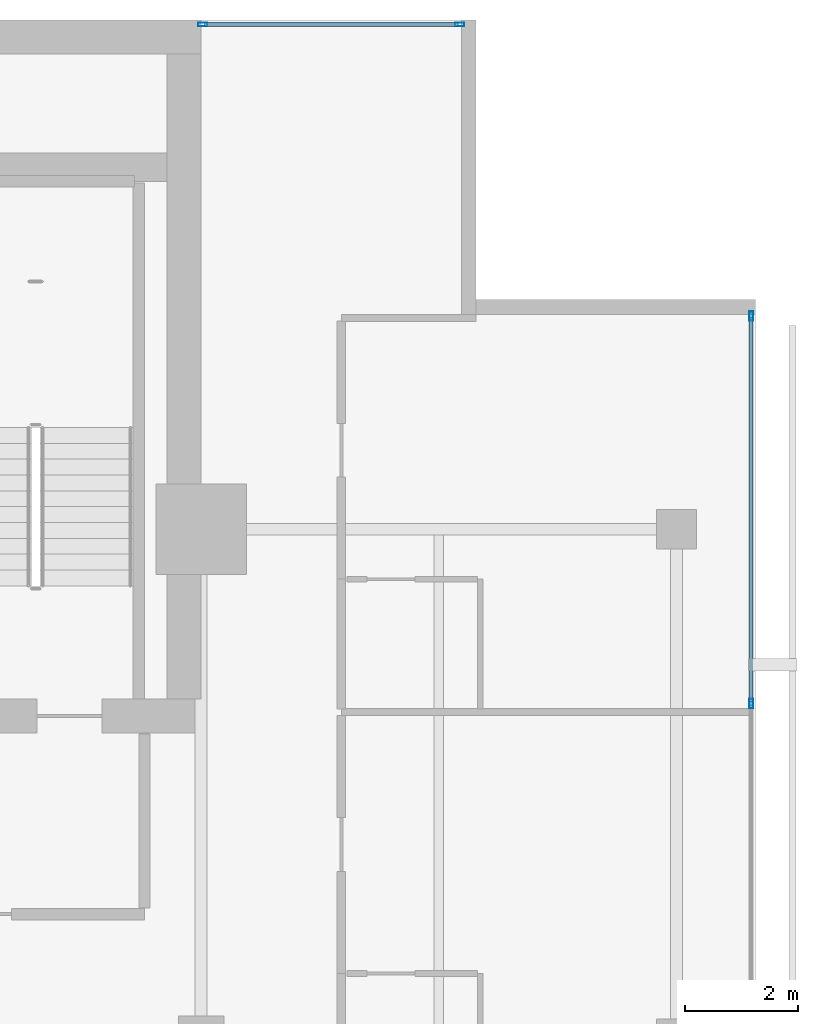
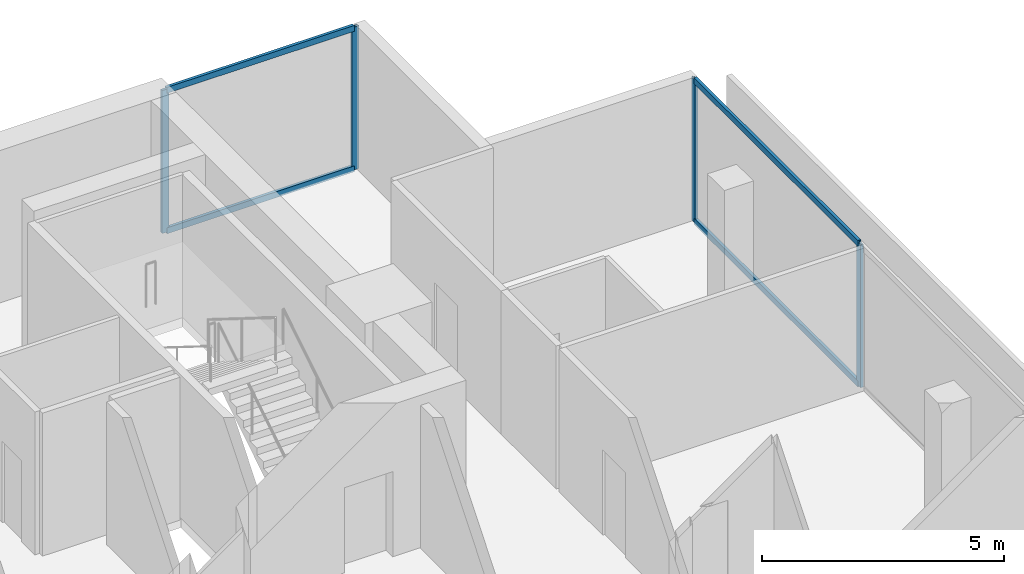
# One storey, part 18 of 26: 8 members, 2 elements without a shape of their own.
"""IFC4 building model written with IfcOpenShell, lengths in metres."""

import ifcopenshell
import ifcopenshell.guid

model = None  # the IFC model being written
_history = None  # IfcOwnerHistory: only IFC2X3 demands one
_inside = {}  # id of a spatial element -> (the spatial element, [elements in it])
_under = {}  # id of a project, library or spatial element -> (it, [spatial elements below it])
_declared = {}  # id of a project -> (the project, [libraries it declares])
_typed = {}  # id of a type object -> (the type object, [elements of that type])
_made_of = {}  # id of a material, layer set ... -> (it, [elements and type objects made of it])


def new_model(schema):
    """Start an empty IFC model of exactly this schema.

    Asked for "IFC4X3", IfcOpenShell would pick the latest addendum, in which some entities
    have other attributes; the version numbers below select the first issue.
    IFC2X3 requires an IfcOwnerHistory on every rooted entity: one is made here for all.
    """
    global model, _history
    if schema == "IFC4X3":
        model = ifcopenshell.file(schema_version=(4, 3, 0, 0))
    else:
        model = ifcopenshell.file(schema=schema)
    _inside.clear()
    _under.clear()
    _declared.clear()
    _typed.clear()
    _made_of.clear()
    _history = None
    if model.schema == "IFC2X3":
        org = make("IfcOrganization", Name="unknown")
        user = make(
            "IfcPersonAndOrganization",
            ThePerson=make("IfcPerson", FamilyName="unknown"),
            TheOrganization=org,
        )
        app = make(
            "IfcApplication",
            ApplicationDeveloper=org,
            Version="unknown",
            ApplicationFullName="unknown",
            ApplicationIdentifier="unknown",
        )
        _history = make(
            "IfcOwnerHistory",
            OwningUser=user,
            OwningApplication=app,
            ChangeAction="ADDED",
            CreationDate=0,
        )
    return model


def make(cls, **values):
    """One entity of the class cls with the attributes given. An attribute that is None is left unset."""
    return model.create_entity(
        cls, **{name: value for name, value in values.items() if value is not None}
    )


def rooted(cls, **values):
    """An entity with a GlobalId (a new one), such as an element, a storey or a relation."""
    return make(cls, GlobalId=ifcopenshell.guid.new(), OwnerHistory=_history, **values)


def si_unit(unit_type, name, prefix=None):
    """IfcSIUnit, for example si_unit("LENGTHUNIT", "METRE", prefix="MILLI")."""
    return make("IfcSIUnit", UnitType=unit_type, Prefix=prefix, Name=name)


def assignment(units):
    """IfcUnitAssignment: the units of a project."""
    return None if units is None else make("IfcUnitAssignment", Units=units)


def point(xyz):
    """IfcCartesianPoint."""
    return None if xyz is None else make("IfcCartesianPoint", Coordinates=xyz)


def direction(xyz):
    """IfcDirection."""
    return None if xyz is None else make("IfcDirection", DirectionRatios=xyz)


def frame(location, z_axis=None, x_axis=None):
    """IfcAxis2Placement3D, a coordinate frame: its origin and axes. An axis left out is left unset."""
    return make(
        "IfcAxis2Placement3D",
        Location=point(location),
        Axis=direction(z_axis),
        RefDirection=direction(x_axis),
    )


def frame_2d(location, x_axis=None):
    """IfcAxis2Placement2D, a coordinate frame in the plane: its origin and x axis."""
    return make(
        "IfcAxis2Placement2D", Location=point(location), RefDirection=direction(x_axis)
    )


def origin():
    """The frame at (0, 0, 0) with its axes left unset."""
    return frame((0.0, 0.0, 0.0))


def origin_2d():
    """The frame at (0, 0) in the plane with its x axis left unset."""
    return frame_2d((0.0, 0.0))


def place(relative_to, where):
    """IfcLocalPlacement: puts the frame where relative to a parent placement (None: the world)."""
    return make(
        "IfcLocalPlacement", PlacementRelTo=relative_to, RelativePlacement=where
    )


def context(
    kind, dimensions, precision=None, world=None, true_north=None, identifier=None
):
    """IfcGeometricRepresentationContext, for example the 3D "Model" context."""
    return make(
        "IfcGeometricRepresentationContext",
        ContextIdentifier=identifier,
        ContextType=kind,
        CoordinateSpaceDimension=dimensions,
        Precision=precision,
        WorldCoordinateSystem=world,
        TrueNorth=true_north,
    )


def subcontext(parent, identifier, kind, view, scale=None):
    """IfcGeometricRepresentationSubContext, for example "Body" below "Model"."""
    return make(
        "IfcGeometricRepresentationSubContext",
        ContextIdentifier=identifier,
        ContextType=kind,
        ParentContext=parent,
        TargetScale=scale,
        TargetView=view,
    )


def project(units=None, contexts=None):
    """IfcProject with its units and contexts."""
    return rooted(
        "IfcProject",
        Name="project",
        RepresentationContexts=contexts,
        UnitsInContext=assignment(units),
    )


def spatial(cls, under=None, at=None, **own):
    """A site, building, storey or space (cls), placed at a placement, below another one or the project."""
    s = rooted(cls, ObjectPlacement=at, **own)
    if under is not None:
        _under.setdefault(under.id(), (under, []))[1].append(s)
    return s


def profile(cls, at=None, kind="AREA", **sizes):
    """A parametric profile (cls). Its sizes go by their IFC names, for example OverallWidth=200.0."""
    return make(cls, ProfileType=kind, Position=at, **sizes)


def hollow_rectangle(**sizes):
    """IfcRectangleHollowProfileDef."""
    return profile("IfcRectangleHollowProfileDef", **sizes)


def extrude(swept, where, along, depth):
    """IfcExtrudedAreaSolid: the profile swept, set in the frame where, extruded along a direction by depth."""
    return make(
        "IfcExtrudedAreaSolid",
        SweptArea=swept,
        Position=where,
        ExtrudedDirection=direction(along),
        Depth=depth,
    )


def shape(context_of_items, identifier, shape_type, items):
    """IfcShapeRepresentation: the items that make up one representation, for example the "Body"."""
    return make(
        "IfcShapeRepresentation",
        ContextOfItems=context_of_items,
        RepresentationIdentifier=identifier,
        RepresentationType=shape_type,
        Items=items,
    )


def material(Name=None, Category=None):
    """IfcMaterial."""
    return make("IfcMaterial", Name=Name, Category=Category)


def layer(
    of_material, thickness, ventilated=None, Name=None, Category=None, Priority=None
):
    """IfcMaterialLayer: one layer of a wall or slab, of a material (None: an air gap)."""
    return make(
        "IfcMaterialLayer",
        Material=of_material,
        LayerThickness=thickness,
        IsVentilated=ventilated,
        Name=Name,
        Category=Category,
        Priority=Priority,
    )


def layer_set(layers, Name=None):
    """IfcMaterialLayerSet."""
    return make("IfcMaterialLayerSet", MaterialLayers=layers, LayerSetName=Name)


def material_profile(
    of_material, cross_section, Name=None, Category=None, Priority=None
):
    """IfcMaterialProfile: a cross section and its material."""
    return make(
        "IfcMaterialProfile",
        Name=Name,
        Material=of_material,
        Profile=cross_section,
        Priority=Priority,
        Category=Category,
    )


def profile_set(profiles, Name=None, composite=None):
    """IfcMaterialProfileSet."""
    return make(
        "IfcMaterialProfileSet",
        Name=Name,
        MaterialProfiles=profiles,
        CompositeProfile=composite,
    )


def made_of(thing, what):
    """Note that an element or type object is made of a material, layer set ...; save() writes the relation."""
    if what is not None:
        _made_of.setdefault(what.id(), (what, []))[1].append(thing)
    return thing


def type_object(cls, material=None, **own):
    """A type object (cls), such as IfcWallType, which elements share."""
    return made_of(rooted(cls, **own), material)


def element(
    cls,
    number,
    at=None,
    inside=None,
    cuts=None,
    type_object=None,
    material=None,
    context=None,
    identifier="Body",
    shape_type=None,
    held_by="IfcProductDefinitionShape",
    body=None,
    shapes=None,
    **own,
):
    """One element of the class cls, such as IfcWall. Its Tag is "e" and its number.

    at: its placement. inside: the storey or other place that contains it. cuts: it is an
    opening in that element (IfcRelVoidsElement). A single representation is given by context,
    identifier, shape_type and body (its items); several are given by shapes. held_by: the class
    of the entity that holds the representations. save() writes the other relations.
    """
    e = rooted(cls, Tag="e%d" % number, ObjectPlacement=at, **own)
    if body is not None:
        shapes = [shape(context, identifier, shape_type, body)]
    if shapes is not None:
        e.Representation = make(held_by, Representations=shapes)
    if inside is not None:
        _inside.setdefault(inside.id(), (inside, []))[1].append(e)
    if cuts is not None:
        rooted(
            "IfcRelVoidsElement", RelatingBuildingElement=cuts, RelatedOpeningElement=e
        )
    if type_object is not None:
        _typed.setdefault(type_object.id(), (type_object, []))[1].append(e)
    return made_of(e, material)


def aggregate(whole, parts):
    """IfcRelAggregates: a whole, such as a stair, and the parts it consists of."""
    return rooted("IfcRelAggregates", RelatingObject=whole, RelatedObjects=parts)


def save(model, path):
    """Write the relations noted so far, then the file.

    IfcRelAggregates (storeys below a building ...), IfcRelContainedInSpatialStructure (elements
    in a storey), IfcRelDefinesByType, IfcRelAssociatesMaterial and IfcRelDeclares: one each for
    every whole, place, type object, material and project.
    """
    for whole, parts in _under.values():
        aggregate(whole, parts)
    for where, things in _inside.values():
        rooted(
            "IfcRelContainedInSpatialStructure",
            RelatedElements=things,
            RelatingStructure=where,
        )
    for kind, things in _typed.values():
        rooted("IfcRelDefinesByType", RelatedObjects=things, RelatingType=kind)
    for what, things in _made_of.values():
        rooted("IfcRelAssociatesMaterial", RelatedObjects=things, RelatingMaterial=what)
    for by, libraries in _declared.values():
        rooted("IfcRelDeclares", RelatingContext=by, RelatedDefinitions=libraries)
    model.write(path)


model = new_model("IFC4")

# Units and contexts
model_context = context("Model", 3, precision=1e-05, world=origin(), true_north=direction((0.0, 1.0)))
body_context = subcontext(model_context, "Body", "Model", "MODEL_VIEW")
ifc_project = project(units=[si_unit("LENGTHUNIT", "METRE"), si_unit("AREAUNIT", "SQUARE_METRE"), si_unit("VOLUMEUNIT", "CUBIC_METRE"), si_unit("PLANEANGLEUNIT", "RADIAN"), si_unit("MASSUNIT", "GRAM", prefix="KILO")], contexts=[model_context])

# Site, building, storey
site_placement = place(None, origin())
site = spatial("IfcSite", under=ifc_project, at=site_placement, CompositionType="ELEMENT")
building_placement = place(site_placement, origin())
building = spatial("IfcBuilding", under=site, at=building_placement, Name="Maruvema Waterfront Hotel and Observation Tower", CompositionType="ELEMENT")
storey_placement = place(building_placement, frame((0.0, 0.0, 258.64990234375)))
storey = spatial("IfcBuildingStorey", under=building, at=storey_placement, Name="L63", CompositionType="ELEMENT", Elevation=258.64990234375)

# Curtain wall, members
ifc_material_1 = material(Name="Anodised bronze aluminium and solar-control low-E IGU", Category="aluminium")
ifc_layer = layer(ifc_material_1, 0.159912109375, Name="Zone 3 Champagne Inner Thermal Curtain Wall System CW-04")
ifc_layer_set = layer_set([ifc_layer], Name="Anodised bronze aluminium and solar-control low-E IGU")
curtain_wall_type = type_object("IfcCurtainWallType", Name="Zone 3 Champagne Inner Thermal Curtain Wall System CW-04", PredefinedType="USERDEFINED", material=ifc_layer_set)
curtain_wall_1_placement = place(storey_placement, origin())
curtain_wall_1 = element("IfcCurtainWall", 1, at=curtain_wall_1_placement, inside=storey, type_object=curtain_wall_type, Name="L63 Curtain Wall CW-L63-E", ObjectType="UNITISED CURTAIN WALL", PredefinedType="USERDEFINED")
ifc_material_2 = material(Name="Anodised architectural bronze aluminium", Category="aluminium")
ifc_material_profile_1 = material_profile(ifc_material_2, hollow_rectangle(XDim=0.070068359375, YDim=0.14990234375, WallThickness=0.00390625, at=origin_2d()), Name="ALU-T70x150")
ifc_profile_set_1 = profile_set([ifc_material_profile_1], Name="Anodised architectural bronze aluminium")
member_type_1 = type_object("IfcMemberType", Name="Curtain Wall Horizontal Transom ALU-T70x150", PredefinedType="USERDEFINED", material=ifc_profile_set_1)
member_1_placement = place(storey_placement, frame((60.1201171875, 41.949951171875, 0.030029296875), z_axis=(0.0, 1.0, 0.0), x_axis=(-1.0, 0.0, 0.0)))
member_1 = element("IfcMember", 2, at=member_1_placement, type_object=member_type_1, Name="CW-04 transom 5.1", ObjectType="TRANSOM", PredefinedType="USERDEFINED", context=body_context, shape_type="SweptSolid", body=[
    extrude(hollow_rectangle(XDim=0.070068359375, YDim=0.14990234375, WallThickness=0.00390625, at=origin_2d()), origin(), (0.0, 0.0, 1.0), 6.7900390625),
])
member_2_placement = place(storey_placement, frame((60.1201171875, 41.949951171875, 3.580078125), z_axis=(0.0, 1.0, 0.0), x_axis=(-1.0, 0.0, 0.0)))
member_2 = element("IfcMember", 3, at=member_2_placement, type_object=member_type_1, Name="CW-04 transom 5.2", ObjectType="TRANSOM", PredefinedType="USERDEFINED", context=body_context, shape_type="SweptSolid", body=[
    extrude(hollow_rectangle(XDim=0.070068359375, YDim=0.14990234375, WallThickness=0.00390625, at=origin_2d()), origin(), (0.0, 0.0, 1.0), 6.7900390625),
])

curtain_wall_2_placement = place(storey_placement, origin())
curtain_wall_2 = element("IfcCurtainWall", 4, at=curtain_wall_2_placement, inside=storey, type_object=curtain_wall_type, Name="L63 Curtain Wall CW-L63-NE", ObjectType="UNITISED CURTAIN WALL", PredefinedType="USERDEFINED")
member_3_placement = place(storey_placement, frame((54.93994140625, 53.919921875, 0.030029296875), z_axis=(-1.0, 0.0, 0.0), x_axis=(0.0, -1.0, 0.0)))
member_3 = element("IfcMember", 5, at=member_3_placement, type_object=member_type_1, Name="CW-04 transom 1.1", ObjectType="TRANSOM", PredefinedType="USERDEFINED", context=body_context, shape_type="SweptSolid", body=[
    extrude(hollow_rectangle(XDim=0.070068359375, YDim=0.14990234375, WallThickness=0.00390625, at=origin_2d()), origin(), (0.0, 0.0, 1.0), 4.47998046875),
])
member_4_placement = place(storey_placement, frame((54.93994140625, 53.919921875, 3.580078125), z_axis=(-1.0, 0.0, 0.0), x_axis=(0.0, -1.0, 0.0)))
member_4 = element("IfcMember", 6, at=member_4_placement, type_object=member_type_1, Name="CW-04 transom 1.2", ObjectType="TRANSOM", PredefinedType="USERDEFINED", context=body_context, shape_type="SweptSolid", body=[
    extrude(hollow_rectangle(XDim=0.070068359375, YDim=0.14990234375, WallThickness=0.00390625, at=origin_2d()), origin(), (0.0, 0.0, 1.0), 4.47998046875),
])

# Member
ifc_material_3 = material(Name="Anodised architectural bronze aluminium", Category="aluminium")
ifc_material_profile_2 = material_profile(ifc_material_3, hollow_rectangle(XDim=0.06494140625, YDim=0.1650390625, WallThickness=0.00390625, at=origin_2d()), Name="ALU-M65x165")
ifc_profile_set_2 = profile_set([ifc_material_profile_2], Name="Anodised architectural bronze aluminium")
member_type_2 = type_object("IfcMemberType", Name="Curtain Wall Primary Mullion ALU-M65x165", PredefinedType="MULLION", material=ifc_profile_set_2)
member_5_placement = place(storey_placement, frame((60.1201171875, 41.919921875, 0.0), z_axis=(0.0, 0.0, 1.0), x_axis=(-1.0, 0.0, 0.0)))
member_5 = element("IfcMember", 7, at=member_5_placement, type_object=member_type_2, Name="CW-04 mullion 5", PredefinedType="MULLION", context=body_context, shape_type="SweptSolid", body=[
    extrude(hollow_rectangle(XDim=0.06494140625, YDim=0.1650390625, WallThickness=0.00390625, at=origin_2d()), origin(), (0.0, 0.0, 1.0), 3.610107421875),
])

member_6_placement = place(storey_placement, frame((60.1201171875, 48.77001953125, 0.0), z_axis=(0.0, 0.0, 1.0), x_axis=(-1.0, 0.0, 0.0)))
member_6 = element("IfcMember", 8, at=member_6_placement, type_object=member_type_2, Name="CW-04 mullion 6", PredefinedType="MULLION", context=body_context, shape_type="SweptSolid", body=[
    extrude(hollow_rectangle(XDim=0.06494140625, YDim=0.1650390625, WallThickness=0.00390625, at=origin_2d()), origin(), (0.0, 0.0, 1.0), 3.610107421875),
])

aggregate(curtain_wall_1, [member_5, member_6, member_1, member_2])

member_7_placement = place(storey_placement, frame((54.969970703125, 53.919921875, 0.0), z_axis=(0.0, 0.0, 1.0), x_axis=(0.0, -1.0, 0.0)))
member_7 = element("IfcMember", 9, at=member_7_placement, type_object=member_type_2, Name="CW-04 mullion 1", PredefinedType="MULLION", context=body_context, shape_type="SweptSolid", body=[
    extrude(hollow_rectangle(XDim=0.06494140625, YDim=0.1650390625, WallThickness=0.00390625, at=origin_2d()), origin(), (0.0, 0.0, 1.0), 3.610107421875),
])

member_8_placement = place(storey_placement, frame((50.429931640625, 53.919921875, 0.0), z_axis=(0.0, 0.0, 1.0), x_axis=(0.0, -1.0, 0.0)))
member_8 = element("IfcMember", 10, at=member_8_placement, type_object=member_type_2, Name="CW-04 mullion 2", PredefinedType="MULLION", context=body_context, shape_type="SweptSolid", body=[
    extrude(hollow_rectangle(XDim=0.06494140625, YDim=0.1650390625, WallThickness=0.00390625, at=origin_2d()), origin(), (0.0, 0.0, 1.0), 3.610107421875),
])

aggregate(curtain_wall_2, [member_7, member_8, member_3, member_4])

save(model, "model.ifc")
